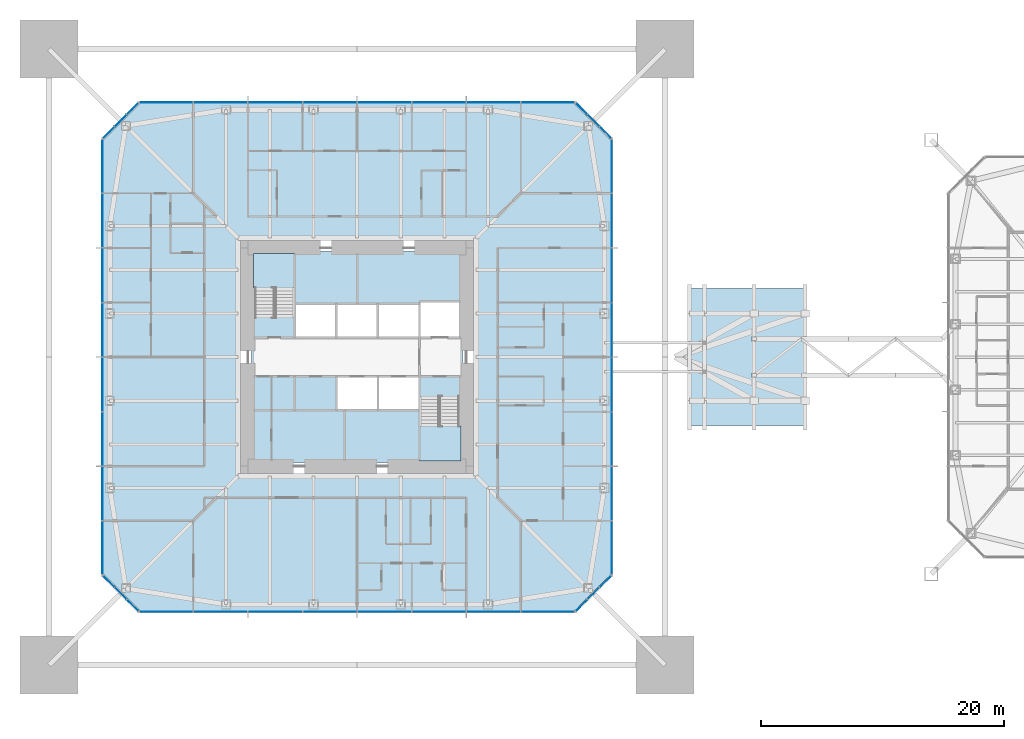
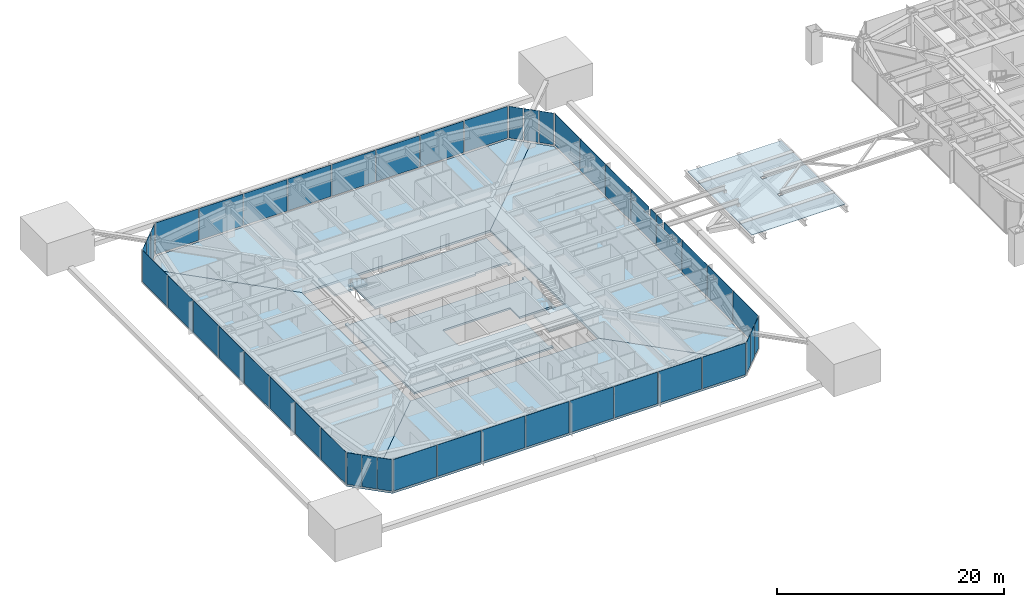
# One storey, part 12 of 26: 49 plates, 8 slabs, 10 elements without a shape of their own.
"""IFC4 building model written with IfcOpenShell, lengths in metres."""

from ifc_helpers import new_model, si_unit, direction, frame, origin, origin_2d, place, context, subcontext, project, spatial, polyline, rectangle, outline, extrude, material, layer, layer_set, constituent, constituent_set, type_object, element, aggregate, save


model = new_model("IFC4")

# Units and contexts
model_context = context("Model", 3, precision=1e-05, world=origin(), true_north=direction((0.0, 1.0)))
body_context = subcontext(model_context, "Body", "Model", "MODEL_VIEW")
ifc_project = project(units=[si_unit("LENGTHUNIT", "METRE"), si_unit("AREAUNIT", "SQUARE_METRE"), si_unit("VOLUMEUNIT", "CUBIC_METRE"), si_unit("PLANEANGLEUNIT", "RADIAN"), si_unit("MASSUNIT", "GRAM", prefix="KILO")], contexts=[model_context])

# Site, building, storey
site_placement = place(None, origin())
site = spatial("IfcSite", under=ifc_project, at=site_placement, CompositionType="ELEMENT")
building_placement = place(site_placement, origin())
building = spatial("IfcBuilding", under=site, at=building_placement, Name="Iwan Alto Co-Living Towers", CompositionType="ELEMENT")
storey_placement = place(building_placement, frame((0.0, 0.0, 126.0)))
storey = spatial("IfcBuildingStorey", under=building, at=storey_placement, Name="L34", CompositionType="ELEMENT", Elevation=126.0)

# Plate
ifc_material_1 = material(Name="Stainless steel ASTM A240 Type 316", Category="steel")
ifc_layer_1 = layer(ifc_material_1, 0.0029296875, Name="Stainless steel facing", Category="Finish")
ifc_material_2 = material(Name="Steel ASTM A36", Category="steel")
ifc_layer_2 = layer(ifc_material_2, 0.037109375, Name="Steel plate", Category="LoadBearing")
ifc_layer_set_1 = layer_set([ifc_layer_1, ifc_layer_2], Name="BRIDGE SLIDE PLATE 40")
plate_type_1 = type_object("IfcPlateType", Name="BRIDGE SLIDE PLATE 40", PredefinedType="USERDEFINED", material=ifc_layer_set_1)
plate_1_placement = place(storey_placement, frame((0.0, 0.0, 2.437744140625)))
element("IfcPlate", 1, at=plate_1_placement, inside=storey, type_object=plate_type_1, Name="Skybridge BR2 slide plate", ObjectType="SLIDE PLATE", PredefinedType="USERDEFINED", context=body_context, shape_type="SweptSolid", body=[
    extrude(outline(polyline([(27.423828125, -5.64990234375), (36.949951171875, -5.64990234375), (36.949951171875, 5.64990234375), (27.423828125, 5.64990234375), (27.423828125, -5.64990234375)]), holes=[polyline([(32.5400390625, -1.659912109375), (32.9599609375, -1.659912109375), (32.9599609375, -1.340087890625), (32.5400390625, -1.340087890625), (32.5400390625, -1.659912109375)]), polyline([(32.5400390625, 1.340087890625), (32.9599609375, 1.340087890625), (32.9599609375, 1.659912109375), (32.5400390625, 1.659912109375), (32.5400390625, 1.340087890625)])]), origin(), (0.0, 0.0, 1.0), 0.0400390625),
])

# Slabs
ifc_material_3 = material(Name="Concrete f'c 30 MPa", Category="concrete")
ifc_layer_3 = layer(ifc_material_3, 0.199951171875)
ifc_layer_set_2 = layer_set([ifc_layer_3], Name="CORE FLOOR SLAB 200")
slab_type_1 = type_object("IfcSlabType", Name="CORE FLOOR SLAB 200", PredefinedType="FLOOR", material=ifc_layer_set_2)
slab_1_placement = place(storey_placement, frame((0.0, 0.0, -0.199951171875)))
element("IfcSlab", 2, at=slab_1_placement, inside=storey, type_object=slab_type_1, Name="T1 core floor L34", PredefinedType="FLOOR", context=body_context, shape_type="SweptSolid", body=[
    extrude(outline(polyline([(5.14990234375, -1.60009765625), (1.72509765625, -1.60009765625), (-1.699951171875, -1.60009765625), (-1.699951171875, -4.39990234375), (1.72509765625, -4.39990234375), (5.14990234375, -4.39990234375), (5.14990234375, -8.39990234375), (5.4599609375, -8.39990234375), (5.4599609375, -8.699951171875), (-8.699951171875, -8.699951171875), (-8.699951171875, 3.580078125), (-8.39990234375, 3.580078125), (-8.39990234375, 3.27001953125), (-5.14990234375, 3.27001953125), (-5.14990234375, 1.60009765625), (-1.717041015625, 1.60009765625), (1.717041015625, 1.60009765625), (5.14990234375, 1.60009765625), (8.39990234375, 1.60009765625), (8.39990234375, 1.909912109375), (8.699951171875, 1.909912109375), (8.699951171875, -3.580078125), (8.39990234375, -3.580078125), (8.39990234375, -3.27001953125), (5.14990234375, -3.27001953125), (5.14990234375, -1.60009765625)])), origin(), (0.0, 0.0, 1.0), 0.199951171875),
])
slab_2_placement = place(storey_placement, frame((0.0, 0.0, -0.199951171875)))
element("IfcSlab", 3, at=slab_2_placement, inside=storey, type_object=slab_type_1, Name="T1 core floor L34", PredefinedType="FLOOR", context=body_context, shape_type="SweptSolid", body=[
    extrude(outline(polyline([(1.717041015625, 4.39990234375), (-1.717041015625, 4.39990234375), (-5.14990234375, 4.39990234375), (-5.14990234375, 8.39990234375), (-5.4599609375, 8.39990234375), (-5.4599609375, 8.699951171875), (8.699951171875, 8.699951171875), (8.699951171875, 4.2900390625), (8.39990234375, 4.2900390625), (8.39990234375, 4.60009765625), (5.14990234375, 4.60009765625), (5.14990234375, 4.39990234375), (1.717041015625, 4.39990234375)])), origin(), (0.0, 0.0, 1.0), 0.199951171875),
])

# Curtain wall, plates
ifc_material_4 = material(Name="Bronze aluminium unitised frame", Category="aluminium")
curtain_wall_type_1 = type_object("IfcCurtainWallType", Name="CURTAIN WALL CW-A", PredefinedType="NOTDEFINED", material=ifc_material_4)
curtain_wall_1_placement = place(storey_placement, origin())
curtain_wall_1 = element("IfcCurtainWall", 4, at=curtain_wall_1_placement, inside=storey, type_object=curtain_wall_type_1, Name="T1 curtain wall S L34", PredefinedType="NOTDEFINED")
ifc_material_5 = material(Name="Bronze-tinted insulating glass", Category="glass")
ifc_layer_4 = layer(ifc_material_5, 0.031982421875)
ifc_layer_set_3 = layer_set([ifc_layer_4], Name="CW-A PANEL TINTED IGU 32")
plate_type_2 = type_object("IfcPlateType", Name="CW-A PANEL TINTED IGU 32", PredefinedType="CURTAIN_PANEL", material=ifc_layer_set_3)
plate_2_placement = place(storey_placement, frame((-15.72998046875, -21.0, 0.10009765625), z_axis=(0.0, 0.0, 1.0), x_axis=(1.0, 0.0, 0.0)))
plate_2 = element("IfcPlate", 5, at=plate_2_placement, type_object=plate_type_2, Name="CW-A panel 1.1", PredefinedType="CURTAIN_PANEL", context=body_context, shape_type="SweptSolid", body=[
    extrude(rectangle(XDim=4.3798828125, YDim=0.031982421875, at=origin_2d()), origin(), (0.0, 0.0, 1.0), 3.39990234375),
])
plate_3_placement = place(storey_placement, frame((-11.25, -21.0, 0.10009765625), z_axis=(0.0, 0.0, 1.0), x_axis=(1.0, 0.0, 0.0)))
plate_3 = element("IfcPlate", 6, at=plate_3_placement, type_object=plate_type_2, Name="CW-A panel 2.1", PredefinedType="CURTAIN_PANEL", context=body_context, shape_type="SweptSolid", body=[
    extrude(rectangle(XDim=4.419921875, YDim=0.031982421875, at=origin_2d()), origin(), (0.0, 0.0, 1.0), 3.39990234375),
])
plate_4_placement = place(storey_placement, frame((-6.75, -21.0, 0.10009765625), z_axis=(0.0, 0.0, 1.0), x_axis=(1.0, 0.0, 0.0)))
plate_4 = element("IfcPlate", 7, at=plate_4_placement, type_object=plate_type_2, Name="CW-A panel 3.1", PredefinedType="CURTAIN_PANEL", context=body_context, shape_type="SweptSolid", body=[
    extrude(rectangle(XDim=4.419921875, YDim=0.031982421875, at=origin_2d()), origin(), (0.0, 0.0, 1.0), 3.39990234375),
])
plate_5_placement = place(storey_placement, frame((-2.25, -21.0, 0.10009765625), z_axis=(0.0, 0.0, 1.0), x_axis=(1.0, 0.0, 0.0)))
plate_5 = element("IfcPlate", 8, at=plate_5_placement, type_object=plate_type_2, Name="CW-A panel 4.1", PredefinedType="CURTAIN_PANEL", context=body_context, shape_type="SweptSolid", body=[
    extrude(rectangle(XDim=4.419921875, YDim=0.031982421875, at=origin_2d()), origin(), (0.0, 0.0, 1.0), 3.39990234375),
])
plate_6_placement = place(storey_placement, frame((2.25, -21.0, 0.10009765625), z_axis=(0.0, 0.0, 1.0), x_axis=(1.0, 0.0, 0.0)))
plate_6 = element("IfcPlate", 9, at=plate_6_placement, type_object=plate_type_2, Name="CW-A panel 5.1", PredefinedType="CURTAIN_PANEL", context=body_context, shape_type="SweptSolid", body=[
    extrude(rectangle(XDim=4.419921875, YDim=0.031982421875, at=origin_2d()), origin(), (0.0, 0.0, 1.0), 3.39990234375),
])
plate_7_placement = place(storey_placement, frame((6.75, -21.0, 0.10009765625), z_axis=(0.0, 0.0, 1.0), x_axis=(1.0, 0.0, 0.0)))
plate_7 = element("IfcPlate", 10, at=plate_7_placement, type_object=plate_type_2, Name="CW-A panel 6.1", PredefinedType="CURTAIN_PANEL", context=body_context, shape_type="SweptSolid", body=[
    extrude(rectangle(XDim=4.419921875, YDim=0.031982421875, at=origin_2d()), origin(), (0.0, 0.0, 1.0), 3.39990234375),
])
plate_8_placement = place(storey_placement, frame((11.25, -21.0, 0.10009765625), z_axis=(0.0, 0.0, 1.0), x_axis=(1.0, 0.0, 0.0)))
plate_8 = element("IfcPlate", 11, at=plate_8_placement, type_object=plate_type_2, Name="CW-A panel 7.1", PredefinedType="CURTAIN_PANEL", context=body_context, shape_type="SweptSolid", body=[
    extrude(rectangle(XDim=4.419921875, YDim=0.031982421875, at=origin_2d()), origin(), (0.0, 0.0, 1.0), 3.39990234375),
])
plate_9_placement = place(storey_placement, frame((15.72998046875, -21.0, 0.10009765625), z_axis=(0.0, 0.0, 1.0), x_axis=(1.0, 0.0, 0.0)))
plate_9 = element("IfcPlate", 12, at=plate_9_placement, type_object=plate_type_2, Name="CW-A panel 8.1", PredefinedType="CURTAIN_PANEL", context=body_context, shape_type="SweptSolid", body=[
    extrude(rectangle(XDim=4.3798828125, YDim=0.031982421875, at=origin_2d()), origin(), (0.0, 0.0, 1.0), 3.39990234375),
])
aggregate(curtain_wall_1, [plate_2, plate_3, plate_4, plate_5, plate_6, plate_7, plate_8, plate_9])

curtain_wall_2_placement = place(storey_placement, origin())
curtain_wall_2 = element("IfcCurtainWall", 13, at=curtain_wall_2_placement, inside=storey, type_object=curtain_wall_type_1, Name="T1 curtain wall E L34", PredefinedType="NOTDEFINED")
plate_10_placement = place(storey_placement, frame((21.0, -15.72998046875, 0.10009765625), z_axis=(0.0, 0.0, 1.0), x_axis=(0.0, 1.0, 0.0)))
plate_10 = element("IfcPlate", 14, at=plate_10_placement, type_object=plate_type_2, Name="CW-A panel 1.1", PredefinedType="CURTAIN_PANEL", context=body_context, shape_type="SweptSolid", body=[
    extrude(rectangle(XDim=4.3798828125, YDim=0.031982421875, at=origin_2d()), origin(), (0.0, 0.0, 1.0), 3.39990234375),
])
plate_11_placement = place(storey_placement, frame((21.0, -11.25, 0.10009765625), z_axis=(0.0, 0.0, 1.0), x_axis=(0.0, 1.0, 0.0)))
plate_11 = element("IfcPlate", 15, at=plate_11_placement, type_object=plate_type_2, Name="CW-A panel 2.1", PredefinedType="CURTAIN_PANEL", context=body_context, shape_type="SweptSolid", body=[
    extrude(rectangle(XDim=4.419921875, YDim=0.031982421875, at=origin_2d()), origin(), (0.0, 0.0, 1.0), 3.39990234375),
])
plate_12_placement = place(storey_placement, frame((21.0, -6.75, 0.10009765625), z_axis=(0.0, 0.0, 1.0), x_axis=(0.0, 1.0, 0.0)))
plate_12 = element("IfcPlate", 16, at=plate_12_placement, type_object=plate_type_2, Name="CW-A panel 3.1", PredefinedType="CURTAIN_PANEL", context=body_context, shape_type="SweptSolid", body=[
    extrude(rectangle(XDim=4.419921875, YDim=0.031982421875, at=origin_2d()), origin(), (0.0, 0.0, 1.0), 3.39990234375),
])
plate_13_placement = place(storey_placement, frame((21.0, -2.25, 0.10009765625), z_axis=(0.0, 0.0, 1.0), x_axis=(0.0, 1.0, 0.0)))
plate_13 = element("IfcPlate", 17, at=plate_13_placement, type_object=plate_type_2, Name="CW-A panel 4.1", PredefinedType="CURTAIN_PANEL", context=body_context, shape_type="SweptSolid", body=[
    extrude(rectangle(XDim=4.419921875, YDim=0.031982421875, at=origin_2d()), origin(), (0.0, 0.0, 1.0), 2.46142578125),
])
plate_14_placement = place(storey_placement, frame((21.0, 2.25, 0.10009765625), z_axis=(0.0, 0.0, 1.0), x_axis=(0.0, 1.0, 0.0)))
plate_14 = element("IfcPlate", 18, at=plate_14_placement, type_object=plate_type_2, Name="CW-A panel 5.1", PredefinedType="CURTAIN_PANEL", context=body_context, shape_type="SweptSolid", body=[
    extrude(rectangle(XDim=4.419921875, YDim=0.031982421875, at=origin_2d()), origin(), (0.0, 0.0, 1.0), 2.46142578125),
])
plate_15_placement = place(storey_placement, frame((21.0, 6.75, 0.10009765625), z_axis=(0.0, 0.0, 1.0), x_axis=(0.0, 1.0, 0.0)))
plate_15 = element("IfcPlate", 19, at=plate_15_placement, type_object=plate_type_2, Name="CW-A panel 6.1", PredefinedType="CURTAIN_PANEL", context=body_context, shape_type="SweptSolid", body=[
    extrude(rectangle(XDim=4.419921875, YDim=0.031982421875, at=origin_2d()), origin(), (0.0, 0.0, 1.0), 3.39990234375),
])
plate_16_placement = place(storey_placement, frame((21.0, 11.25, 0.10009765625), z_axis=(0.0, 0.0, 1.0), x_axis=(0.0, 1.0, 0.0)))
plate_16 = element("IfcPlate", 20, at=plate_16_placement, type_object=plate_type_2, Name="CW-A panel 7.1", PredefinedType="CURTAIN_PANEL", context=body_context, shape_type="SweptSolid", body=[
    extrude(rectangle(XDim=4.419921875, YDim=0.031982421875, at=origin_2d()), origin(), (0.0, 0.0, 1.0), 3.39990234375),
])
plate_17_placement = place(storey_placement, frame((21.0, 15.72998046875, 0.10009765625), z_axis=(0.0, 0.0, 1.0), x_axis=(0.0, 1.0, 0.0)))
plate_17 = element("IfcPlate", 21, at=plate_17_placement, type_object=plate_type_2, Name="CW-A panel 8.1", PredefinedType="CURTAIN_PANEL", context=body_context, shape_type="SweptSolid", body=[
    extrude(rectangle(XDim=4.3798828125, YDim=0.031982421875, at=origin_2d()), origin(), (0.0, 0.0, 1.0), 3.39990234375),
])

curtain_wall_3_placement = place(storey_placement, origin())
curtain_wall_3 = element("IfcCurtainWall", 22, at=curtain_wall_3_placement, inside=storey, type_object=curtain_wall_type_1, Name="T1 curtain wall N L34", PredefinedType="NOTDEFINED")
plate_18_placement = place(storey_placement, frame((15.72998046875, 21.0, 0.10009765625), z_axis=(0.0, 0.0, 1.0), x_axis=(-1.0, 0.0, 0.0)))
plate_18 = element("IfcPlate", 23, at=plate_18_placement, type_object=plate_type_2, Name="CW-A panel 1.1", PredefinedType="CURTAIN_PANEL", context=body_context, shape_type="SweptSolid", body=[
    extrude(rectangle(XDim=4.3798828125, YDim=0.031982421875, at=origin_2d()), origin(), (0.0, 0.0, 1.0), 3.39990234375),
])
plate_19_placement = place(storey_placement, frame((11.25, 21.0, 0.10009765625), z_axis=(0.0, 0.0, 1.0), x_axis=(-1.0, 0.0, 0.0)))
plate_19 = element("IfcPlate", 24, at=plate_19_placement, type_object=plate_type_2, Name="CW-A panel 2.1", PredefinedType="CURTAIN_PANEL", context=body_context, shape_type="SweptSolid", body=[
    extrude(rectangle(XDim=4.419921875, YDim=0.031982421875, at=origin_2d()), origin(), (0.0, 0.0, 1.0), 3.39990234375),
])
plate_20_placement = place(storey_placement, frame((6.75, 21.0, 0.10009765625), z_axis=(0.0, 0.0, 1.0), x_axis=(-1.0, 0.0, 0.0)))
plate_20 = element("IfcPlate", 25, at=plate_20_placement, type_object=plate_type_2, Name="CW-A panel 3.1", PredefinedType="CURTAIN_PANEL", context=body_context, shape_type="SweptSolid", body=[
    extrude(rectangle(XDim=4.419921875, YDim=0.031982421875, at=origin_2d()), origin(), (0.0, 0.0, 1.0), 3.39990234375),
])
plate_21_placement = place(storey_placement, frame((2.25, 21.0, 0.10009765625), z_axis=(0.0, 0.0, 1.0), x_axis=(-1.0, 0.0, 0.0)))
plate_21 = element("IfcPlate", 26, at=plate_21_placement, type_object=plate_type_2, Name="CW-A panel 4.1", PredefinedType="CURTAIN_PANEL", context=body_context, shape_type="SweptSolid", body=[
    extrude(rectangle(XDim=4.419921875, YDim=0.031982421875, at=origin_2d()), origin(), (0.0, 0.0, 1.0), 3.39990234375),
])
plate_22_placement = place(storey_placement, frame((-2.25, 21.0, 0.10009765625), z_axis=(0.0, 0.0, 1.0), x_axis=(-1.0, 0.0, 0.0)))
plate_22 = element("IfcPlate", 27, at=plate_22_placement, type_object=plate_type_2, Name="CW-A panel 5.1", PredefinedType="CURTAIN_PANEL", context=body_context, shape_type="SweptSolid", body=[
    extrude(rectangle(XDim=4.419921875, YDim=0.031982421875, at=origin_2d()), origin(), (0.0, 0.0, 1.0), 3.39990234375),
])
plate_23_placement = place(storey_placement, frame((-6.75, 21.0, 0.10009765625), z_axis=(0.0, 0.0, 1.0), x_axis=(-1.0, 0.0, 0.0)))
plate_23 = element("IfcPlate", 28, at=plate_23_placement, type_object=plate_type_2, Name="CW-A panel 6.1", PredefinedType="CURTAIN_PANEL", context=body_context, shape_type="SweptSolid", body=[
    extrude(rectangle(XDim=4.419921875, YDim=0.031982421875, at=origin_2d()), origin(), (0.0, 0.0, 1.0), 3.39990234375),
])
plate_24_placement = place(storey_placement, frame((-11.25, 21.0, 0.10009765625), z_axis=(0.0, 0.0, 1.0), x_axis=(-1.0, 0.0, 0.0)))
plate_24 = element("IfcPlate", 29, at=plate_24_placement, type_object=plate_type_2, Name="CW-A panel 7.1", PredefinedType="CURTAIN_PANEL", context=body_context, shape_type="SweptSolid", body=[
    extrude(rectangle(XDim=4.419921875, YDim=0.031982421875, at=origin_2d()), origin(), (0.0, 0.0, 1.0), 3.39990234375),
])
plate_25_placement = place(storey_placement, frame((-15.72998046875, 21.0, 0.10009765625), z_axis=(0.0, 0.0, 1.0), x_axis=(-1.0, 0.0, 0.0)))
plate_25 = element("IfcPlate", 30, at=plate_25_placement, type_object=plate_type_2, Name="CW-A panel 8.1", PredefinedType="CURTAIN_PANEL", context=body_context, shape_type="SweptSolid", body=[
    extrude(rectangle(XDim=4.3798828125, YDim=0.031982421875, at=origin_2d()), origin(), (0.0, 0.0, 1.0), 3.39990234375),
])
aggregate(curtain_wall_3, [plate_18, plate_19, plate_20, plate_21, plate_22, plate_23, plate_24, plate_25])

curtain_wall_4_placement = place(storey_placement, origin())
curtain_wall_4 = element("IfcCurtainWall", 31, at=curtain_wall_4_placement, inside=storey, type_object=curtain_wall_type_1, Name="T1 curtain wall W L34", PredefinedType="NOTDEFINED")
plate_26_placement = place(storey_placement, frame((-21.0, 15.72998046875, 0.10009765625), z_axis=(0.0, 0.0, 1.0), x_axis=(0.0, -1.0, 0.0)))
plate_26 = element("IfcPlate", 32, at=plate_26_placement, type_object=plate_type_2, Name="CW-A panel 1.1", PredefinedType="CURTAIN_PANEL", context=body_context, shape_type="SweptSolid", body=[
    extrude(rectangle(XDim=4.3798828125, YDim=0.031982421875, at=origin_2d()), origin(), (0.0, 0.0, 1.0), 3.39990234375),
])
plate_27_placement = place(storey_placement, frame((-21.0, 11.25, 0.10009765625), z_axis=(0.0, 0.0, 1.0), x_axis=(0.0, -1.0, 0.0)))
plate_27 = element("IfcPlate", 33, at=plate_27_placement, type_object=plate_type_2, Name="CW-A panel 2.1", PredefinedType="CURTAIN_PANEL", context=body_context, shape_type="SweptSolid", body=[
    extrude(rectangle(XDim=4.419921875, YDim=0.031982421875, at=origin_2d()), origin(), (0.0, 0.0, 1.0), 3.39990234375),
])
plate_28_placement = place(storey_placement, frame((-21.0, 6.75, 0.10009765625), z_axis=(0.0, 0.0, 1.0), x_axis=(0.0, -1.0, 0.0)))
plate_28 = element("IfcPlate", 34, at=plate_28_placement, type_object=plate_type_2, Name="CW-A panel 3.1", PredefinedType="CURTAIN_PANEL", context=body_context, shape_type="SweptSolid", body=[
    extrude(rectangle(XDim=4.419921875, YDim=0.031982421875, at=origin_2d()), origin(), (0.0, 0.0, 1.0), 3.39990234375),
])
plate_29_placement = place(storey_placement, frame((-21.0, 2.25, 0.10009765625), z_axis=(0.0, 0.0, 1.0), x_axis=(0.0, -1.0, 0.0)))
plate_29 = element("IfcPlate", 35, at=plate_29_placement, type_object=plate_type_2, Name="CW-A panel 4.1", PredefinedType="CURTAIN_PANEL", context=body_context, shape_type="SweptSolid", body=[
    extrude(rectangle(XDim=4.419921875, YDim=0.031982421875, at=origin_2d()), origin(), (0.0, 0.0, 1.0), 3.39990234375),
])
plate_30_placement = place(storey_placement, frame((-21.0, -2.25, 0.10009765625), z_axis=(0.0, 0.0, 1.0), x_axis=(0.0, -1.0, 0.0)))
plate_30 = element("IfcPlate", 36, at=plate_30_placement, type_object=plate_type_2, Name="CW-A panel 5.1", PredefinedType="CURTAIN_PANEL", context=body_context, shape_type="SweptSolid", body=[
    extrude(rectangle(XDim=4.419921875, YDim=0.031982421875, at=origin_2d()), origin(), (0.0, 0.0, 1.0), 3.39990234375),
])
plate_31_placement = place(storey_placement, frame((-21.0, -6.75, 0.10009765625), z_axis=(0.0, 0.0, 1.0), x_axis=(0.0, -1.0, 0.0)))
plate_31 = element("IfcPlate", 37, at=plate_31_placement, type_object=plate_type_2, Name="CW-A panel 6.1", PredefinedType="CURTAIN_PANEL", context=body_context, shape_type="SweptSolid", body=[
    extrude(rectangle(XDim=4.419921875, YDim=0.031982421875, at=origin_2d()), origin(), (0.0, 0.0, 1.0), 3.39990234375),
])
plate_32_placement = place(storey_placement, frame((-21.0, -11.25, 0.10009765625), z_axis=(0.0, 0.0, 1.0), x_axis=(0.0, -1.0, 0.0)))
plate_32 = element("IfcPlate", 38, at=plate_32_placement, type_object=plate_type_2, Name="CW-A panel 7.1", PredefinedType="CURTAIN_PANEL", context=body_context, shape_type="SweptSolid", body=[
    extrude(rectangle(XDim=4.419921875, YDim=0.031982421875, at=origin_2d()), origin(), (0.0, 0.0, 1.0), 3.39990234375),
])
plate_33_placement = place(storey_placement, frame((-21.0, -15.72998046875, 0.10009765625), z_axis=(0.0, 0.0, 1.0), x_axis=(0.0, -1.0, 0.0)))
plate_33 = element("IfcPlate", 39, at=plate_33_placement, type_object=plate_type_2, Name="CW-A panel 8.1", PredefinedType="CURTAIN_PANEL", context=body_context, shape_type="SweptSolid", body=[
    extrude(rectangle(XDim=4.3798828125, YDim=0.031982421875, at=origin_2d()), origin(), (0.0, 0.0, 1.0), 3.39990234375),
])
aggregate(curtain_wall_4, [plate_26, plate_27, plate_28, plate_29, plate_30, plate_31, plate_32, plate_33])

# Plate
ifc_material_6 = material(Name="Insulated bronze aluminium spandrel panel", Category="aluminium")
ifc_layer_5 = layer(ifc_material_6, 0.031982421875)
ifc_layer_set_4 = layer_set([ifc_layer_5], Name="CW-A SPANDREL PANEL 32")
plate_type_3 = type_object("IfcPlateType", Name="CW-A SPANDREL PANEL 32", PredefinedType="CURTAIN_PANEL", material=ifc_layer_set_4)
plate_34_placement = place(storey_placement, frame((21.0, -2.905029296875, 2.66162109375), z_axis=(0.0, 0.0, 1.0), x_axis=(0.0, 1.0, 0.0)))
plate_34 = element("IfcPlate", 40, at=plate_34_placement, type_object=plate_type_3, Name="CW-A spandrel panel 4.1 (bridge seat)", PredefinedType="CURTAIN_PANEL", context=body_context, shape_type="SweptSolid", body=[
    extrude(rectangle(XDim=3.110107421875, YDim=0.031982421875, at=origin_2d()), origin(), (0.0, 0.0, 1.0), 0.83837890625),
])

plate_35_placement = place(storey_placement, frame((21.0, -0.53955078125, 2.66162109375), z_axis=(0.0, 0.0, 1.0), x_axis=(0.0, 1.0, 0.0)))
plate_35 = element("IfcPlate", 41, at=plate_35_placement, type_object=plate_type_3, Name="CW-A spandrel panel 4.2 (bridge seat)", PredefinedType="CURTAIN_PANEL", context=body_context, shape_type="SweptSolid", body=[
    extrude(rectangle(XDim=0.999267578125, YDim=0.031982421875, at=origin_2d()), origin(), (0.0, 0.0, 1.0), 0.83837890625),
])

plate_36_placement = place(storey_placement, frame((21.0, 0.53955078125, 2.66162109375), z_axis=(0.0, 0.0, 1.0), x_axis=(0.0, 1.0, 0.0)))
plate_36 = element("IfcPlate", 42, at=plate_36_placement, type_object=plate_type_3, Name="CW-A spandrel panel 5.1 (bridge seat)", PredefinedType="CURTAIN_PANEL", context=body_context, shape_type="SweptSolid", body=[
    extrude(rectangle(XDim=0.999267578125, YDim=0.031982421875, at=origin_2d()), origin(), (0.0, 0.0, 1.0), 0.83837890625),
])

plate_37_placement = place(storey_placement, frame((21.0, 2.905029296875, 2.66162109375), z_axis=(0.0, 0.0, 1.0), x_axis=(0.0, 1.0, 0.0)))
plate_37 = element("IfcPlate", 43, at=plate_37_placement, type_object=plate_type_3, Name="CW-A spandrel panel 5.2 (bridge seat)", PredefinedType="CURTAIN_PANEL", context=body_context, shape_type="SweptSolid", body=[
    extrude(rectangle(XDim=3.110107421875, YDim=0.031982421875, at=origin_2d()), origin(), (0.0, 0.0, 1.0), 0.83837890625),
])

aggregate(curtain_wall_2, [plate_10, plate_11, plate_12, plate_13, plate_34, plate_35, plate_14, plate_36, plate_37, plate_15, plate_16, plate_17])

# Curtain wall, plates
ifc_material_7 = material(Name="Bronze aluminium unitised frame", Category="aluminium")
curtain_wall_type_2 = type_object("IfcCurtainWallType", Name="CURTAIN WALL CW-B", PredefinedType="NOTDEFINED", material=ifc_material_7)
curtain_wall_5_placement = place(storey_placement, origin())
curtain_wall_5 = element("IfcCurtainWall", 44, at=curtain_wall_5_placement, inside=storey, type_object=curtain_wall_type_2, Name="T1 chamfer curtain wall SE L34", PredefinedType="NOTDEFINED")
ifc_material_8 = material(Name="Bronze-tinted insulating glass", Category="glass")
ifc_layer_6 = layer(ifc_material_8, 0.031982421875)
ifc_layer_set_5 = layer_set([ifc_layer_6], Name="CW-B PANEL TINTED IGU 32")
plate_type_4 = type_object("IfcPlateType", Name="CW-B PANEL TINTED IGU 32", PredefinedType="CURTAIN_PANEL", material=ifc_layer_set_5)
plate_38_placement = place(storey_placement, frame((18.51416015625, -20.48583984375, 0.10009765625), z_axis=(0.0, 0.0, 1.0), x_axis=(0.707106781187, 0.707106781187, 0.0)))
plate_38 = element("IfcPlate", 45, at=plate_38_placement, type_object=plate_type_4, Name="CW-B panel 1.1", PredefinedType="CURTAIN_PANEL", context=body_context, shape_type="SweptSolid", body=[
    extrude(rectangle(XDim=1.294189453125, YDim=0.031982421875, at=origin_2d()), origin(), (0.0, 0.0, 1.0), 3.39990234375),
])
plate_39_placement = place(storey_placement, frame((19.5, -19.5, 0.10009765625), z_axis=(0.0, 0.0, 1.0), x_axis=(0.707106781187, 0.707106781187, 0.0)))
plate_39 = element("IfcPlate", 46, at=plate_39_placement, type_object=plate_type_4, Name="CW-B panel 2.1", PredefinedType="CURTAIN_PANEL", context=body_context, shape_type="SweptSolid", body=[
    extrude(rectangle(XDim=1.334228515625, YDim=0.031982421875, at=origin_2d()), origin(), (0.0, 0.0, 1.0), 3.39990234375),
])
plate_40_placement = place(storey_placement, frame((20.48583984375, -18.51416015625, 0.10009765625), z_axis=(0.0, 0.0, 1.0), x_axis=(0.707106781187, 0.707106781187, 0.0)))
plate_40 = element("IfcPlate", 47, at=plate_40_placement, type_object=plate_type_4, Name="CW-B panel 3.1", PredefinedType="CURTAIN_PANEL", context=body_context, shape_type="SweptSolid", body=[
    extrude(rectangle(XDim=1.294189453125, YDim=0.031982421875, at=origin_2d()), origin(), (0.0, 0.0, 1.0), 3.39990234375),
])
aggregate(curtain_wall_5, [plate_38, plate_39, plate_40])

curtain_wall_6_placement = place(storey_placement, origin())
curtain_wall_6 = element("IfcCurtainWall", 48, at=curtain_wall_6_placement, inside=storey, type_object=curtain_wall_type_2, Name="T1 chamfer curtain wall NE L34", PredefinedType="NOTDEFINED")
plate_41_placement = place(storey_placement, frame((20.48583984375, 18.51416015625, 0.10009765625), z_axis=(0.0, 0.0, 1.0), x_axis=(-0.707106781187, 0.707106781187, 0.0)))
plate_41 = element("IfcPlate", 49, at=plate_41_placement, type_object=plate_type_4, Name="CW-B panel 1.1", PredefinedType="CURTAIN_PANEL", context=body_context, shape_type="SweptSolid", body=[
    extrude(rectangle(XDim=1.294189453125, YDim=0.031982421875, at=origin_2d()), origin(), (0.0, 0.0, 1.0), 3.39990234375),
])
plate_42_placement = place(storey_placement, frame((19.5, 19.5, 0.10009765625), z_axis=(0.0, 0.0, 1.0), x_axis=(-0.707106781187, 0.707106781187, 0.0)))
plate_42 = element("IfcPlate", 50, at=plate_42_placement, type_object=plate_type_4, Name="CW-B panel 2.1", PredefinedType="CURTAIN_PANEL", context=body_context, shape_type="SweptSolid", body=[
    extrude(rectangle(XDim=1.334228515625, YDim=0.031982421875, at=origin_2d()), origin(), (0.0, 0.0, 1.0), 3.39990234375),
])
plate_43_placement = place(storey_placement, frame((18.51416015625, 20.48583984375, 0.10009765625), z_axis=(0.0, 0.0, 1.0), x_axis=(-0.707106781187, 0.707106781187, 0.0)))
plate_43 = element("IfcPlate", 51, at=plate_43_placement, type_object=plate_type_4, Name="CW-B panel 3.1", PredefinedType="CURTAIN_PANEL", context=body_context, shape_type="SweptSolid", body=[
    extrude(rectangle(XDim=1.294189453125, YDim=0.031982421875, at=origin_2d()), origin(), (0.0, 0.0, 1.0), 3.39990234375),
])
aggregate(curtain_wall_6, [plate_41, plate_42, plate_43])

curtain_wall_7_placement = place(storey_placement, origin())
curtain_wall_7 = element("IfcCurtainWall", 52, at=curtain_wall_7_placement, inside=storey, type_object=curtain_wall_type_2, Name="T1 chamfer curtain wall NW L34", PredefinedType="NOTDEFINED")
plate_44_placement = place(storey_placement, frame((-18.51416015625, 20.48583984375, 0.10009765625), z_axis=(0.0, 0.0, 1.0), x_axis=(-0.707106781187, -0.707106781187, 0.0)))
plate_44 = element("IfcPlate", 53, at=plate_44_placement, type_object=plate_type_4, Name="CW-B panel 1.1", PredefinedType="CURTAIN_PANEL", context=body_context, shape_type="SweptSolid", body=[
    extrude(rectangle(XDim=1.294189453125, YDim=0.031982421875, at=origin_2d()), origin(), (0.0, 0.0, 1.0), 3.39990234375),
])
plate_45_placement = place(storey_placement, frame((-19.5, 19.5, 0.10009765625), z_axis=(0.0, 0.0, 1.0), x_axis=(-0.707106781187, -0.707106781187, 0.0)))
plate_45 = element("IfcPlate", 54, at=plate_45_placement, type_object=plate_type_4, Name="CW-B panel 2.1", PredefinedType="CURTAIN_PANEL", context=body_context, shape_type="SweptSolid", body=[
    extrude(rectangle(XDim=1.334228515625, YDim=0.031982421875, at=origin_2d()), origin(), (0.0, 0.0, 1.0), 3.39990234375),
])
plate_46_placement = place(storey_placement, frame((-20.48583984375, 18.51416015625, 0.10009765625), z_axis=(0.0, 0.0, 1.0), x_axis=(-0.707106781187, -0.707106781187, 0.0)))
plate_46 = element("IfcPlate", 55, at=plate_46_placement, type_object=plate_type_4, Name="CW-B panel 3.1", PredefinedType="CURTAIN_PANEL", context=body_context, shape_type="SweptSolid", body=[
    extrude(rectangle(XDim=1.294189453125, YDim=0.031982421875, at=origin_2d()), origin(), (0.0, 0.0, 1.0), 3.39990234375),
])
aggregate(curtain_wall_7, [plate_44, plate_45, plate_46])

curtain_wall_8_placement = place(storey_placement, origin())
curtain_wall_8 = element("IfcCurtainWall", 56, at=curtain_wall_8_placement, inside=storey, type_object=curtain_wall_type_2, Name="T1 chamfer curtain wall SW L34", PredefinedType="NOTDEFINED")
plate_47_placement = place(storey_placement, frame((-20.48583984375, -18.51416015625, 0.10009765625), z_axis=(0.0, 0.0, 1.0), x_axis=(0.707106781187, -0.707106781187, 0.0)))
plate_47 = element("IfcPlate", 57, at=plate_47_placement, type_object=plate_type_4, Name="CW-B panel 1.1", PredefinedType="CURTAIN_PANEL", context=body_context, shape_type="SweptSolid", body=[
    extrude(rectangle(XDim=1.294189453125, YDim=0.031982421875, at=origin_2d()), origin(), (0.0, 0.0, 1.0), 3.39990234375),
])
plate_48_placement = place(storey_placement, frame((-19.5, -19.5, 0.10009765625), z_axis=(0.0, 0.0, 1.0), x_axis=(0.707106781187, -0.707106781187, 0.0)))
plate_48 = element("IfcPlate", 58, at=plate_48_placement, type_object=plate_type_4, Name="CW-B panel 2.1", PredefinedType="CURTAIN_PANEL", context=body_context, shape_type="SweptSolid", body=[
    extrude(rectangle(XDim=1.334228515625, YDim=0.031982421875, at=origin_2d()), origin(), (0.0, 0.0, 1.0), 3.39990234375),
])
plate_49_placement = place(storey_placement, frame((-18.51416015625, -20.48583984375, 0.10009765625), z_axis=(0.0, 0.0, 1.0), x_axis=(0.707106781187, -0.707106781187, 0.0)))
plate_49 = element("IfcPlate", 59, at=plate_49_placement, type_object=plate_type_4, Name="CW-B panel 3.1", PredefinedType="CURTAIN_PANEL", context=body_context, shape_type="SweptSolid", body=[
    extrude(rectangle(XDim=1.294189453125, YDim=0.031982421875, at=origin_2d()), origin(), (0.0, 0.0, 1.0), 3.39990234375),
])
aggregate(curtain_wall_8, [plate_47, plate_48, plate_49])

# Stair, slab
ifc_constituent_1 = constituent(ifc_material_2, Name="Stringers", Category="LoadBearing")
ifc_material_9 = material(Name="Concrete f'c 30 MPa", Category="concrete")
ifc_constituent_2 = constituent(ifc_material_9, Name="Tread fill", Category="Finish")
ifc_constituent_set = constituent_set(constituents=[ifc_constituent_1, ifc_constituent_2], Name="STAIR 3500 TWO-FLIGHT T1 CORE")
stair_type = type_object("IfcStairType", Name="STAIR 3500 TWO-FLIGHT T1 CORE", PredefinedType="HALF_TURN_STAIR", material=ifc_constituent_set)
stair_1_placement = place(storey_placement, origin())
stair_1 = element("IfcStair", 60, at=stair_1_placement, inside=storey, type_object=stair_type, Name="Stair T1-S1 L34 to L35", PredefinedType="HALF_TURN_STAIR")
ifc_material_10 = material(Name="Concrete f'c 30 MPa", Category="concrete")
ifc_layer_7 = layer(ifc_material_10, 0.199951171875)
ifc_layer_set_6 = layer_set([ifc_layer_7], Name="STAIR LANDING 200")
slab_type_2 = type_object("IfcSlabType", Name="STAIR LANDING 200", PredefinedType="LANDING", material=ifc_layer_set_6)
slab_3_placement = place(storey_placement, frame((0.0, 0.0, 1.550048828125)))
slab_3 = element("IfcSlab", 61, at=slab_3_placement, type_object=slab_type_2, Name="T1-S1 landing 1", PredefinedType="LANDING", context=body_context, shape_type="SweptSolid", body=[
    extrude(outline(polyline([(-8.550048828125, 5.68994140625), (-8.550048828125, 8.550048828125), (-5.14990234375, 8.550048828125), (-5.14990234375, 5.68994140625), (-8.550048828125, 5.68994140625)])), origin(), (0.0, 0.0, 1.0), 0.199951171875),
])
aggregate(stair_1, [slab_3])

stair_2_placement = place(storey_placement, origin())
stair_2 = element("IfcStair", 62, at=stair_2_placement, inside=storey, type_object=stair_type, Name="Stair T1-S2 L34 to L35", PredefinedType="HALF_TURN_STAIR")
slab_4_placement = place(storey_placement, frame((0.0, 0.0, 1.550048828125)))
slab_4 = element("IfcSlab", 63, at=slab_4_placement, type_object=slab_type_2, Name="T1-S2 landing 1", PredefinedType="LANDING", context=body_context, shape_type="SweptSolid", body=[
    extrude(outline(polyline([(5.14990234375, -5.68994140625), (5.14990234375, -8.550048828125), (8.550048828125, -8.550048828125), (8.550048828125, -5.68994140625), (5.14990234375, -5.68994140625)])), origin(), (0.0, 0.0, 1.0), 0.199951171875),
])
aggregate(stair_2, [slab_4])

# Slabs
ifc_material_11 = material(Name="Concrete f'c 30 MPa", Category="concrete")
ifc_layer_8 = layer(ifc_material_11, 0.22998046875)
ifc_layer_set_7 = layer_set([ifc_layer_8], Name="T1 FLOOR SLAB 230")
slab_type_3 = type_object("IfcSlabType", Name="T1 FLOOR SLAB 230", PredefinedType="FLOOR", material=ifc_layer_set_7)
slab_5_placement = place(storey_placement, frame((0.0, 0.0, -0.22998046875)))
element("IfcSlab", 64, at=slab_5_placement, inside=storey, type_object=slab_type_3, Name="T1 floor slab L34 S pour", PredefinedType="FLOOR", context=body_context, shape_type="SweptSolid", body=[
    extrude(outline(polyline([(17.94140625, -20.89990234375), (-17.94140625, -20.89990234375), (-19.420654296875, -19.420654296875), (-9.60009765625, -9.60009765625), (9.60009765625, -9.60009765625), (19.420654296875, -19.420654296875), (17.94140625, -20.89990234375)])), origin(), (0.0, 0.0, 1.0), 0.22998046875),
])
slab_6_placement = place(storey_placement, frame((0.0, 0.0, -0.22998046875)))
element("IfcSlab", 65, at=slab_6_placement, inside=storey, type_object=slab_type_3, Name="T1 floor slab L34 E pour", PredefinedType="FLOOR", context=body_context, shape_type="SweptSolid", body=[
    extrude(outline(polyline([(20.89990234375, 17.94140625), (20.89990234375, -17.94140625), (19.420654296875, -19.420654296875), (9.60009765625, -9.60009765625), (9.60009765625, 9.60009765625), (19.420654296875, 19.420654296875), (20.89990234375, 17.94140625)])), origin(), (0.0, 0.0, 1.0), 0.22998046875),
])
slab_7_placement = place(storey_placement, frame((0.0, 0.0, -0.22998046875)))
element("IfcSlab", 66, at=slab_7_placement, inside=storey, type_object=slab_type_3, Name="T1 floor slab L34 N pour", PredefinedType="FLOOR", context=body_context, shape_type="SweptSolid", body=[
    extrude(outline(polyline([(-17.94140625, 20.89990234375), (17.94140625, 20.89990234375), (19.420654296875, 19.420654296875), (9.60009765625, 9.60009765625), (-9.60009765625, 9.60009765625), (-19.420654296875, 19.420654296875), (-17.94140625, 20.89990234375)])), origin(), (0.0, 0.0, 1.0), 0.22998046875),
])
slab_8_placement = place(storey_placement, frame((0.0, 0.0, -0.22998046875)))
element("IfcSlab", 67, at=slab_8_placement, inside=storey, type_object=slab_type_3, Name="T1 floor slab L34 W pour", PredefinedType="FLOOR", context=body_context, shape_type="SweptSolid", body=[
    extrude(outline(polyline([(-20.89990234375, 17.94140625), (-19.420654296875, 19.420654296875), (-9.60009765625, 9.60009765625), (-9.60009765625, -9.60009765625), (-19.420654296875, -19.420654296875), (-20.89990234375, -17.94140625), (-20.89990234375, 17.94140625)])), origin(), (0.0, 0.0, 1.0), 0.22998046875),
])

save(model, "model.ifc")
